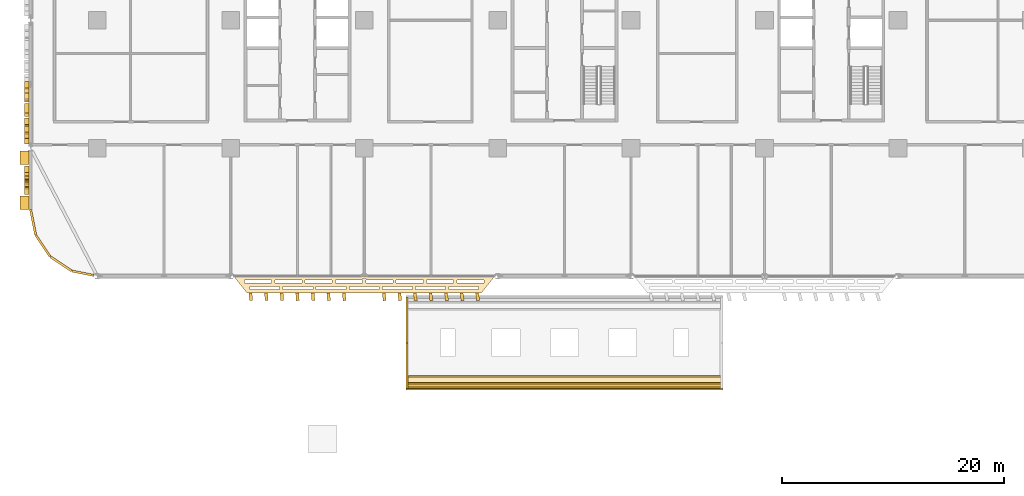
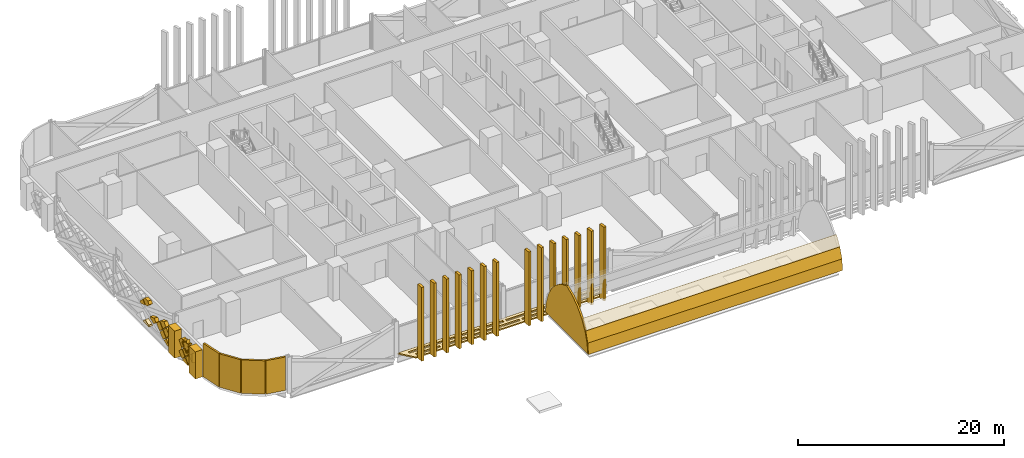
# One storey, part 23 of 31: 41 coverings.
"""IFC4 building model written with IfcOpenShell, lengths in metres."""

import ifcopenshell
import ifcopenshell.guid

model = None  # the IFC model being written
_history = None  # IfcOwnerHistory: only IFC2X3 demands one
_inside = {}  # id of a spatial element -> (the spatial element, [elements in it])
_under = {}  # id of a project, library or spatial element -> (it, [spatial elements below it])
_declared = {}  # id of a project -> (the project, [libraries it declares])
_typed = {}  # id of a type object -> (the type object, [elements of that type])
_made_of = {}  # id of a material, layer set ... -> (it, [elements and type objects made of it])


def new_model(schema):
    """Start an empty IFC model of exactly this schema.

    Asked for "IFC4X3", IfcOpenShell would pick the latest addendum, in which some entities
    have other attributes; the version numbers below select the first issue.
    IFC2X3 requires an IfcOwnerHistory on every rooted entity: one is made here for all.
    """
    global model, _history
    if schema == "IFC4X3":
        model = ifcopenshell.file(schema_version=(4, 3, 0, 0))
    else:
        model = ifcopenshell.file(schema=schema)
    _inside.clear()
    _under.clear()
    _declared.clear()
    _typed.clear()
    _made_of.clear()
    _history = None
    if model.schema == "IFC2X3":
        org = make("IfcOrganization", Name="unknown")
        user = make(
            "IfcPersonAndOrganization",
            ThePerson=make("IfcPerson", FamilyName="unknown"),
            TheOrganization=org,
        )
        app = make(
            "IfcApplication",
            ApplicationDeveloper=org,
            Version="unknown",
            ApplicationFullName="unknown",
            ApplicationIdentifier="unknown",
        )
        _history = make(
            "IfcOwnerHistory",
            OwningUser=user,
            OwningApplication=app,
            ChangeAction="ADDED",
            CreationDate=0,
        )
    return model


def make(cls, **values):
    """One entity of the class cls with the attributes given. An attribute that is None is left unset."""
    return model.create_entity(
        cls, **{name: value for name, value in values.items() if value is not None}
    )


def rooted(cls, **values):
    """An entity with a GlobalId (a new one), such as an element, a storey or a relation."""
    return make(cls, GlobalId=ifcopenshell.guid.new(), OwnerHistory=_history, **values)


def si_unit(unit_type, name, prefix=None):
    """IfcSIUnit, for example si_unit("LENGTHUNIT", "METRE", prefix="MILLI")."""
    return make("IfcSIUnit", UnitType=unit_type, Prefix=prefix, Name=name)


def assignment(units):
    """IfcUnitAssignment: the units of a project."""
    return None if units is None else make("IfcUnitAssignment", Units=units)


def point(xyz):
    """IfcCartesianPoint."""
    return None if xyz is None else make("IfcCartesianPoint", Coordinates=xyz)


def direction(xyz):
    """IfcDirection."""
    return None if xyz is None else make("IfcDirection", DirectionRatios=xyz)


def frame(location, z_axis=None, x_axis=None):
    """IfcAxis2Placement3D, a coordinate frame: its origin and axes. An axis left out is left unset."""
    return make(
        "IfcAxis2Placement3D",
        Location=point(location),
        Axis=direction(z_axis),
        RefDirection=direction(x_axis),
    )


def frame_2d(location, x_axis=None):
    """IfcAxis2Placement2D, a coordinate frame in the plane: its origin and x axis."""
    return make(
        "IfcAxis2Placement2D", Location=point(location), RefDirection=direction(x_axis)
    )


def origin():
    """The frame at (0, 0, 0) with its axes left unset."""
    return frame((0.0, 0.0, 0.0))


def origin_2d():
    """The frame at (0, 0) in the plane with its x axis left unset."""
    return frame_2d((0.0, 0.0))


def place(relative_to, where):
    """IfcLocalPlacement: puts the frame where relative to a parent placement (None: the world)."""
    return make(
        "IfcLocalPlacement", PlacementRelTo=relative_to, RelativePlacement=where
    )


def context(
    kind, dimensions, precision=None, world=None, true_north=None, identifier=None
):
    """IfcGeometricRepresentationContext, for example the 3D "Model" context."""
    return make(
        "IfcGeometricRepresentationContext",
        ContextIdentifier=identifier,
        ContextType=kind,
        CoordinateSpaceDimension=dimensions,
        Precision=precision,
        WorldCoordinateSystem=world,
        TrueNorth=true_north,
    )


def subcontext(parent, identifier, kind, view, scale=None):
    """IfcGeometricRepresentationSubContext, for example "Body" below "Model"."""
    return make(
        "IfcGeometricRepresentationSubContext",
        ContextIdentifier=identifier,
        ContextType=kind,
        ParentContext=parent,
        TargetScale=scale,
        TargetView=view,
    )


def project(units=None, contexts=None):
    """IfcProject with its units and contexts."""
    return rooted(
        "IfcProject",
        Name="project",
        RepresentationContexts=contexts,
        UnitsInContext=assignment(units),
    )


def spatial(cls, under=None, at=None, **own):
    """A site, building, storey or space (cls), placed at a placement, below another one or the project."""
    s = rooted(cls, ObjectPlacement=at, **own)
    if under is not None:
        _under.setdefault(under.id(), (under, []))[1].append(s)
    return s


def polyline(points):
    """IfcPolyline through the points."""
    return make("IfcPolyline", Points=[point(p) for p in points])


def profile(cls, at=None, kind="AREA", **sizes):
    """A parametric profile (cls). Its sizes go by their IFC names, for example OverallWidth=200.0."""
    return make(cls, ProfileType=kind, Position=at, **sizes)


def rectangle(**sizes):
    """IfcRectangleProfileDef."""
    return profile("IfcRectangleProfileDef", **sizes)


def outline(outer, holes=None, kind="AREA"):
    """IfcArbitraryClosedProfileDef: a profile drawn as a closed curve; with holes, ...WithVoids."""
    if holes is None:
        return make("IfcArbitraryClosedProfileDef", ProfileType=kind, OuterCurve=outer)
    return make(
        "IfcArbitraryProfileDefWithVoids",
        ProfileType=kind,
        OuterCurve=outer,
        InnerCurves=holes,
    )


def extrude(swept, where, along, depth):
    """IfcExtrudedAreaSolid: the profile swept, set in the frame where, extruded along a direction by depth."""
    return make(
        "IfcExtrudedAreaSolid",
        SweptArea=swept,
        Position=where,
        ExtrudedDirection=direction(along),
        Depth=depth,
    )


def shape(context_of_items, identifier, shape_type, items):
    """IfcShapeRepresentation: the items that make up one representation, for example the "Body"."""
    return make(
        "IfcShapeRepresentation",
        ContextOfItems=context_of_items,
        RepresentationIdentifier=identifier,
        RepresentationType=shape_type,
        Items=items,
    )


def material(Name=None, Category=None):
    """IfcMaterial."""
    return make("IfcMaterial", Name=Name, Category=Category)


def layer(
    of_material, thickness, ventilated=None, Name=None, Category=None, Priority=None
):
    """IfcMaterialLayer: one layer of a wall or slab, of a material (None: an air gap)."""
    return make(
        "IfcMaterialLayer",
        Material=of_material,
        LayerThickness=thickness,
        IsVentilated=ventilated,
        Name=Name,
        Category=Category,
        Priority=Priority,
    )


def layer_set(layers, Name=None):
    """IfcMaterialLayerSet."""
    return make("IfcMaterialLayerSet", MaterialLayers=layers, LayerSetName=Name)


def made_of(thing, what):
    """Note that an element or type object is made of a material, layer set ...; save() writes the relation."""
    if what is not None:
        _made_of.setdefault(what.id(), (what, []))[1].append(thing)
    return thing


def type_object(cls, material=None, **own):
    """A type object (cls), such as IfcWallType, which elements share."""
    return made_of(rooted(cls, **own), material)


def element(
    cls,
    number,
    at=None,
    inside=None,
    cuts=None,
    type_object=None,
    material=None,
    context=None,
    identifier="Body",
    shape_type=None,
    held_by="IfcProductDefinitionShape",
    body=None,
    shapes=None,
    **own,
):
    """One element of the class cls, such as IfcWall. Its Tag is "e" and its number.

    at: its placement. inside: the storey or other place that contains it. cuts: it is an
    opening in that element (IfcRelVoidsElement). A single representation is given by context,
    identifier, shape_type and body (its items); several are given by shapes. held_by: the class
    of the entity that holds the representations. save() writes the other relations.
    """
    e = rooted(cls, Tag="e%d" % number, ObjectPlacement=at, **own)
    if body is not None:
        shapes = [shape(context, identifier, shape_type, body)]
    if shapes is not None:
        e.Representation = make(held_by, Representations=shapes)
    if inside is not None:
        _inside.setdefault(inside.id(), (inside, []))[1].append(e)
    if cuts is not None:
        rooted(
            "IfcRelVoidsElement", RelatingBuildingElement=cuts, RelatedOpeningElement=e
        )
    if type_object is not None:
        _typed.setdefault(type_object.id(), (type_object, []))[1].append(e)
    return made_of(e, material)


def aggregate(whole, parts):
    """IfcRelAggregates: a whole, such as a stair, and the parts it consists of."""
    return rooted("IfcRelAggregates", RelatingObject=whole, RelatedObjects=parts)


def save(model, path):
    """Write the relations noted so far, then the file.

    IfcRelAggregates (storeys below a building ...), IfcRelContainedInSpatialStructure (elements
    in a storey), IfcRelDefinesByType, IfcRelAssociatesMaterial and IfcRelDeclares: one each for
    every whole, place, type object, material and project.
    """
    for whole, parts in _under.values():
        aggregate(whole, parts)
    for where, things in _inside.values():
        rooted(
            "IfcRelContainedInSpatialStructure",
            RelatedElements=things,
            RelatingStructure=where,
        )
    for kind, things in _typed.values():
        rooted("IfcRelDefinesByType", RelatedObjects=things, RelatingType=kind)
    for what, things in _made_of.values():
        rooted("IfcRelAssociatesMaterial", RelatedObjects=things, RelatingMaterial=what)
    for by, libraries in _declared.values():
        rooted("IfcRelDeclares", RelatingContext=by, RelatedDefinitions=libraries)
    model.write(path)


model = new_model("IFC4")

# Units and contexts
model_context = context("Model", 3, precision=1e-05, world=origin(), true_north=direction((0.0, 1.0)))
body_context = subcontext(model_context, "Body", "Model", "MODEL_VIEW")
ifc_project = project(units=[si_unit("LENGTHUNIT", "METRE"), si_unit("AREAUNIT", "SQUARE_METRE"), si_unit("VOLUMEUNIT", "CUBIC_METRE"), si_unit("PLANEANGLEUNIT", "RADIAN"), si_unit("MASSUNIT", "GRAM", prefix="KILO")], contexts=[model_context])

# Site, building, storey
site_placement = place(None, origin())
site = spatial("IfcSite", under=ifc_project, at=site_placement, CompositionType="ELEMENT")
building_placement = place(site_placement, origin())
building = spatial("IfcBuilding", under=site, at=building_placement, Name="Mahtab Terrace Research Tower", CompositionType="ELEMENT")
storey_placement = place(building_placement, frame((0.0, 0.0, 11.5)))
storey = spatial("IfcBuildingStorey", under=building, at=storey_placement, Name="L02", CompositionType="ELEMENT", Elevation=11.5)

# Coverings
ifc_material_1 = material(Name="Black aluminium cladding panel", Category="aluminium")
ifc_layer_1 = layer(ifc_material_1, 0.199951171875)
ifc_layer_set_1 = layer_set([ifc_layer_1], Name="Black metal corner cladding 200")
covering_type_1 = type_object("IfcCoveringType", Name="Black metal corner cladding 200", PredefinedType="CLADDING", material=ifc_layer_set_1)
for number, where, z_axis, x_axis, name in (
    (1, (-47.771484375, -18.14794921875, 0.0), (0.0, 0.0, 1.0), (0.195212442692, -0.980760981187, 0.0), "Corner cladding L02 18"),
    (2, (-46.89306640625, -20.26953125, 0.0), (0.0, 0.0, 1.0), (0.555291490808, -0.831655794326, 0.0), "Corner cladding L02 19"),
    (3, (-45.26953125, -21.89306640625, 0.0), (0.0, 0.0, 1.0), (0.831655794326, -0.555291490808, 0.0), "Corner cladding L02 20"),
):
    element("IfcCovering", number, at=place(storey_placement, frame(where, z_axis=z_axis, x_axis=x_axis)), inside=storey, type_object=covering_type_1, Name=name, PredefinedType="CLADDING", context=body_context, shape_type="SweptSolid", body=[
        extrude(rectangle(XDim=2.30126953125, YDim=0.199951171875, at=origin_2d()), origin(), (0.0, 0.0, 1.0), 3.9599609375),
    ])
covering_1_placement = place(storey_placement, frame((-43.28173828125, -22.744873046875, 0.0), z_axis=(0.0, 0.0, 1.0), x_axis=(0.980760981187, -0.195212442692, 0.0)))
element("IfcCovering", 4, at=covering_1_placement, inside=storey, type_object=covering_type_1, Name="Corner cladding L02 21", PredefinedType="CLADDING", context=body_context, shape_type="SweptSolid", body=[
    extrude(rectangle(XDim=2.0283203125, YDim=0.199951171875, at=origin_2d()), origin(), (0.0, 0.0, 1.0), 3.9599609375),
])
ifc_material_2 = material(Name="Black anodised aluminium", Category="aluminium")
ifc_layer_2 = layer(ifc_material_2, 0.14990234375)
ifc_layer_set_2 = layer_set([ifc_layer_2], Name="Horizontal sunshade band")
covering_type_2 = type_object("IfcCoveringType", Name="Horizontal sunshade band", PredefinedType="CLADDING", material=ifc_layer_set_2)
covering_2_placement = place(storey_placement, frame((0.0, 0.0, -0.14990234375)))
element("IfcCovering", 5, at=covering_2_placement, inside=storey, type_object=covering_type_2, Name="Sunshade band L02 23", PredefinedType="CLADDING", context=body_context, shape_type="SweptSolid", body=[
    extrude(outline(polyline([(-29.7509765625, -23.0), (-6.2490234375, -23.0), (-7.448974609375, -24.5), (-28.551025390625, -24.5), (-29.7509765625, -23.0)]), holes=[polyline([(-28.77099609375, -23.35009765625), (-26.341064453125, -23.35009765625), (-26.341064453125, -23.60009765625), (-28.77099609375, -23.60009765625), (-28.77099609375, -23.35009765625)]), polyline([(-26.041015625, -23.35009765625), (-23.611083984375, -23.35009765625), (-23.611083984375, -23.60009765625), (-26.041015625, -23.60009765625), (-26.041015625, -23.35009765625)]), polyline([(-23.31103515625, -23.35009765625), (-20.8798828125, -23.35009765625), (-20.8798828125, -23.60009765625), (-23.31103515625, -23.60009765625), (-23.31103515625, -23.35009765625)]), polyline([(-20.580078125, -23.35009765625), (-18.14990234375, -23.35009765625), (-18.14990234375, -23.60009765625), (-20.580078125, -23.60009765625), (-20.580078125, -23.35009765625)]), polyline([(-17.85009765625, -23.35009765625), (-15.419921875, -23.35009765625), (-15.419921875, -23.60009765625), (-17.85009765625, -23.60009765625), (-17.85009765625, -23.35009765625)]), polyline([(-15.1201171875, -23.35009765625), (-12.68994140625, -23.35009765625), (-12.68994140625, -23.60009765625), (-15.1201171875, -23.60009765625), (-15.1201171875, -23.35009765625)]), polyline([(-12.389892578125, -23.35009765625), (-9.958984375, -23.35009765625), (-9.958984375, -23.60009765625), (-12.389892578125, -23.60009765625), (-12.389892578125, -23.35009765625)]), polyline([(-9.658935546875, -23.35009765625), (-7.22900390625, -23.35009765625), (-7.22900390625, -23.60009765625), (-9.658935546875, -23.60009765625), (-9.658935546875, -23.35009765625)]), polyline([(-28.291015625, -23.949951171875), (-25.60791015625, -23.949951171875), (-25.60791015625, -24.199951171875), (-28.291015625, -24.199951171875), (-28.291015625, -23.949951171875)]), polyline([(-25.30810546875, -23.949951171875), (-22.625, -23.949951171875), (-22.625, -24.199951171875), (-25.30810546875, -24.199951171875), (-25.30810546875, -23.949951171875)]), polyline([(-22.324951171875, -23.949951171875), (-19.64208984375, -23.949951171875), (-19.64208984375, -24.199951171875), (-22.324951171875, -24.199951171875), (-22.324951171875, -23.949951171875)]), polyline([(-19.342041015625, -23.949951171875), (-16.657958984375, -23.949951171875), (-16.657958984375, -24.199951171875), (-19.342041015625, -24.199951171875), (-19.342041015625, -23.949951171875)]), polyline([(-16.35791015625, -23.949951171875), (-13.675048828125, -23.949951171875), (-13.675048828125, -24.199951171875), (-16.35791015625, -24.199951171875), (-16.35791015625, -23.949951171875)]), polyline([(-13.375, -23.949951171875), (-10.69189453125, -23.949951171875), (-10.69189453125, -24.199951171875), (-13.375, -24.199951171875), (-13.375, -23.949951171875)]), polyline([(-10.39208984375, -23.949951171875), (-7.708984375, -23.949951171875), (-7.708984375, -24.199951171875), (-10.39208984375, -24.199951171875), (-10.39208984375, -23.949951171875)])]), origin(), (0.0, 0.0, 1.0), 0.14990234375),
])
ifc_material_3 = material(Name="Bronze anodised aluminium", Category="aluminium")
ifc_layer_3 = layer(ifc_material_3, 0.39990234375)
ifc_layer_set_3 = layer_set([ifc_layer_3], Name="Mashrabiya relief panel 400")
covering_type_3 = type_object("IfcCoveringType", Name="Mashrabiya relief panel 400", PredefinedType="CLADDING", material=ifc_layer_set_3)
covering_3_placement = place(storey_placement, frame((-48.14990234375, -5.51904296875, 2.14990234375), z_axis=(1.0, 0.0, 0.0), x_axis=(0.0, -0.707106781187, 0.707106781187)))
element("IfcCovering", 6, at=covering_3_placement, inside=storey, type_object=covering_type_3, Name="Mashrabiya lattice cell L02 W16.10", PredefinedType="CLADDING", context=body_context, shape_type="SweptSolid", body=[
    extrude(outline(polyline([(0.0, 0.0), (0.8203543516109556, 0.0), (0.8203543516109556, 0.6107772929292005), (0.06163015646572205, 0.2649924094534547), (0.00017263349150060947, 0.12999301909996835), (0.0, 0.0)])), origin(), (0.0, 0.0, -1.0), 0.39990234375),
])
covering_4_placement = place(storey_placement, frame((-48.14990234375, -6.1689453125, 0.199951171875), z_axis=(1.0, 0.0, 0.0), x_axis=(0.0, -0.707106781187, 0.707106781187)))
element("IfcCovering", 7, at=covering_4_placement, inside=storey, type_object=covering_type_3, Name="Mashrabiya lattice cell L02 W16.11", PredefinedType="CLADDING", context=body_context, shape_type="SweptSolid", body=[
    extrude(outline(polyline([(0.0, 0.0), (0.5147930716548547, 0.0), (0.820181718119455, 0.6703358474969151), (0.8203543516109556, 0.8203543516109556), (0.7283407006411241, 0.820181718119455), (0.0, 0.09184101747833089), (0.0, 0.0)])), origin(), (0.0, 0.0, -1.0), 0.39990234375),
])
covering_5_placement = place(storey_placement, frame((-48.14990234375, -6.1689453125, 2.800048828125), z_axis=(1.0, 0.0, 0.0), x_axis=(0.0, -0.707106781187, 0.707106781187)))
element("IfcCovering", 8, at=covering_5_placement, inside=storey, type_object=covering_type_3, Name="Mashrabiya lattice cell L02 W16.12", PredefinedType="CLADDING", context=body_context, shape_type="SweptSolid", body=[
    extrude(outline(polyline([(0.0, 0.0), (0.3791031473353658, 0.0), (0.8203543516109556, 0.4412512042755897), (0.8203543516109556, 0.8203543516109556), (0.3606313637447992, 0.820181718119455), (0.0, 0.6563525346853647), (0.0, 0.0)])), origin(), (0.0, 0.0, -1.0), 0.39990234375),
])
covering_6_placement = place(storey_placement, frame((-48.14990234375, -7.468994140625, 1.5), z_axis=(1.0, 0.0, 0.0), x_axis=(0.0, -0.93702826663, 0.349253529024)))
element("IfcCovering", 9, at=covering_6_placement, inside=storey, type_object=covering_type_3, Name="Mashrabiya lattice cell L02 W16.13", PredefinedType="CLADDING", context=body_context, shape_type="SweptSolid", body=[
    extrude(outline(polyline([(0.0, 0.0), (0.9017558308712423, -5.551115123125783e-17), (1.086870433291092, 0.40510339755721136), (0.553242009378479, 0.6491381405892371), (0.12814522477591145, 0.2804320418748758), (0.0, 0.0)])), origin(), (0.0, 0.0, -1.0), 0.39990234375),
])
covering_7_placement = place(storey_placement, frame((-48.14990234375, -9.34912109375, 2.080078125), z_axis=(1.0, 0.0, 0.0), x_axis=(0.0, -0.706957932274, -0.707255598772)))
element("IfcCovering", 10, at=covering_7_placement, inside=storey, type_object=covering_type_3, Name="Mashrabiya lattice cell L02 W16.14", PredefinedType="CLADDING", context=body_context, shape_type="SweptSolid", body=[
    extrude(outline(polyline([(0.0, 0.0), (0.8201817362875763, 0.0), (0.8205270032629295, 0.8201816636150915), (0.00017266982391900276, 0.8203543334390104), (0.0, 0.0)])), origin(), (0.0, 0.0, -1.0), 0.39990234375),
])
covering_8_placement = place(storey_placement, frame((-48.14990234375, -9.4189453125, 0.85009765625), z_axis=(1.0, 0.0, 0.0), x_axis=(0.0, -0.707255598772, 0.706957932274)))
element("IfcCovering", 11, at=covering_8_placement, inside=storey, type_object=covering_type_3, Name="Mashrabiya lattice cell L02 W16.15", PredefinedType="CLADDING", context=body_context, shape_type="SweptSolid", body=[
    extrude(outline(polyline([(0.0, 0.0), (0.8201817362875763, 0.0), (0.8205270032629295, 0.8201816636150915), (0.15139960502858502, 0.8203225028906618), (-6.991093039140917e-05, 0.4880349059978759), (0.0, 0.0)])), origin(), (0.0, 0.0, -1.0), 0.39990234375),
])
covering_9_placement = place(storey_placement, frame((-48.14990234375, -10.5791015625, 2.14990234375), z_axis=(1.0, 0.0, 0.0), x_axis=(0.0, 0.707255598772, -0.706957932274)))
element("IfcCovering", 12, at=covering_9_placement, inside=storey, type_object=covering_type_3, Name="Mashrabiya lattice cell L02 W16.16", PredefinedType="CLADDING", context=body_context, shape_type="SweptSolid", body=[
    extrude(outline(polyline([(0.0, 0.0), (0.8201817362875763, 0.0), (0.8205270032629295, 0.8201816636150915), (0.64236924398072, 0.8202191626172557), (0.00011104355679636413, 0.5275679383395656), (0.0, 0.0)])), origin(), (0.0, 0.0, -1.0), 0.39990234375),
])
covering_10_placement = place(storey_placement, frame((-48.14990234375, -10.64892578125, 0.780029296875), z_axis=(1.0, 0.0, 0.0), x_axis=(0.0, -0.707106781187, -0.707106781187)))
element("IfcCovering", 13, at=covering_10_placement, inside=storey, type_object=covering_type_3, Name="Mashrabiya lattice cell L02 W16.17", PredefinedType="CLADDING", context=body_context, shape_type="SweptSolid", body=[
    extrude(outline(polyline([(0.0, 0.0), (0.6604957384813797, 0.0), (0.786345553785333, 0.1258498153039534), (0.5303300858899107, 0.3818652831993758), (0.0, 0.6235521713002465), (0.0, 0.0)])), origin(), (0.0, 0.0, -1.0), 0.39990234375),
])
covering_11_placement = place(storey_placement, frame((-48.14990234375, -10.64892578125, 0.919921875), z_axis=(1.0, 0.0, 0.0), x_axis=(0.0, 0.706957932274, 0.707255598772)))
element("IfcCovering", 14, at=covering_11_placement, inside=storey, type_object=covering_type_3, Name="Mashrabiya lattice cell L02 W16.18", PredefinedType="CLADDING", context=body_context, shape_type="SweptSolid", body=[
    extrude(outline(polyline([(0.0, 0.0), (0.8201817362875763, 0.0), (0.8205270032629295, 0.8201816636150915), (0.16003127941241302, 0.8203206860785415), (0.00013902246344993374, 0.6604957238505165), (0.0, 0.0)])), origin(), (0.0, 0.0, -1.0), 0.39990234375),
])
covering_12_placement = place(storey_placement, frame((-48.14990234375, -14.64404296875, 2.60107421875), z_axis=(1.0, 0.0, 0.0), x_axis=(0.0, -0.924691461768, 0.380717349925)))
element("IfcCovering", 15, at=covering_12_placement, inside=storey, type_object=covering_type_3, Name="Girih star panel L02 W17.1", PredefinedType="CLADDING", context=body_context, shape_type="SweptSolid", body=[
    extrude(outline(polyline([(0.0, 0.0), (0.3783462161056796, 2.7755575615628914e-17), (0.11208841562376498, 0.2689856047531158), (0.3794805037610448, 0.5359074361332754), (0.001665512373961231, 0.5371822494259442), (0.00134680905079404, 0.9156612717112728), (-0.26732009237915455, 0.6492706650497092), (-0.5342419237593141, 0.9166627531869891), (-0.535516737051983, 0.5388477617999055), (-0.9140887079090707, 0.5387548132281463), (-0.647605152675748, 0.2698621570467897), (-0.9149972408130278, 0.0029403256666300503), (-0.5371822494259442, 0.001665512373961231), (-0.537089300854185, -0.3769064584831264), (-0.26819664467282844, -0.11042290324980375), (-0.0012748132926687916, -0.3778149913870835), (0.0, 0.0)])), origin(), (0.0, 0.0, -1.0), 0.39990234375),
])
covering_13_placement = place(storey_placement, frame((-48.14990234375, -13.698974609375, 1.429931640625), z_axis=(1.0, 0.0, 0.0), x_axis=(0.0, -0.707255598772, -0.706957932274)))
element("IfcCovering", 16, at=covering_13_placement, inside=storey, type_object=covering_type_3, Name="Mashrabiya lattice cell L02 W17.2", PredefinedType="CLADDING", context=body_context, shape_type="SweptSolid", body=[
    extrude(outline(polyline([(0.0, 0.0), (0.8201817362875763, 0.0), (0.8200090664636573, 0.8203543334390104), (-0.0003452669753531423, 0.8201816636150915), (0.0, 0.0)])), origin(), (0.0, 0.0, -1.0), 0.39990234375),
])
covering_14_placement = place(storey_placement, frame((-48.14990234375, -13.698974609375, 1.570068359375), z_axis=(1.0, 0.0, 0.0), x_axis=(0.0, 0.707255598772, 0.706957932274)))
element("IfcCovering", 17, at=covering_14_placement, inside=storey, type_object=covering_type_3, Name="Mashrabiya lattice cell L02 W17.3", PredefinedType="CLADDING", context=body_context, shape_type="SweptSolid", body=[
    extrude(outline(polyline([(0.0, 0.0), (0.8201817362875763, 0.0), (0.8200090664636573, 0.8203543334390104), (0.4452217283816044, 0.820448080944421), (0.5448873902654984, 0.5537503084960056), (0.5231514860924261, 0.47813226252712926), (0.46291297273984744, 0.4278832362646504), (0.37262685778100624, 0.422167327316545), (0.13350894737201133, 0.5196549221580671), (0.03515742203101589, 0.2841621333090679), (-0.0002235405632890347, 0.2418594798986174), (0.0, 0.0)])), origin(), (0.0, 0.0, -1.0), 0.39990234375),
])
covering_15_placement = place(storey_placement, frame((-48.14990234375, -13.76904296875, 0.199951171875), z_axis=(1.0, 0.0, 0.0), x_axis=(0.0, -0.707106781187, 0.707106781187)))
element("IfcCovering", 18, at=covering_15_placement, inside=storey, type_object=covering_type_3, Name="Mashrabiya lattice cell L02 W17.4", PredefinedType="CLADDING", context=body_context, shape_type="SweptSolid", body=[
    extrude(outline(polyline([(0.0, 0.0), (0.8203543516109556, 0.0), (0.820181718119455, 0.820181718119455), (0.7283407006411241, 0.820181718119455), (0.0, 0.09184101747833089), (0.0, 0.0)])), origin(), (0.0, 0.0, -1.0), 0.39990234375),
])
covering_16_placement = place(storey_placement, frame((-48.14990234375, -14.928955078125, 1.5), z_axis=(1.0, 0.0, 0.0), x_axis=(0.0, 0.706957932274, -0.707255598772)))
element("IfcCovering", 19, at=covering_16_placement, inside=storey, type_object=covering_type_3, Name="Mashrabiya lattice cell L02 W17.5", PredefinedType="CLADDING", context=body_context, shape_type="SweptSolid", body=[
    extrude(outline(polyline([(0.0, 0.0), (0.8201817362875763, 0.0), (0.8200090664636573, 0.8203543334390104), (0.6080151435968424, 0.8203097125333344), (0.586621090792337, 0.7609192870785395), (0.5470963431139162, 0.7213778974010961), (0.30042529066822354, 0.6158469119403185), (0.3978408670772946, 0.3769426586366778), (0.3888849280662249, 0.2771586132750213), (0.33451711605440615, 0.22138655083913433), (0.2573533990060128, 0.2049701272095052), (-0.00023662161055562625, 0.30400753546217874), (0.0, 0.0)])), origin(), (0.0, 0.0, -1.0), 0.39990234375),
])
covering_17_placement = place(storey_placement, frame((-48.14990234375, -14.9990234375, 1.429931640625), z_axis=(1.0, 0.0, 0.0), x_axis=(0.0, -0.707255598772, -0.706957932274)))
element("IfcCovering", 20, at=covering_17_placement, inside=storey, type_object=covering_type_3, Name="Mashrabiya lattice cell L02 W17.6", PredefinedType="CLADDING", context=body_context, shape_type="SweptSolid", body=[
    extrude(outline(polyline([(0.0, 0.0), (0.8201817362875763, 0.0), (0.8200090664636573, 0.8203543334390104), (-0.0003452669753531423, 0.8201816636150915), (0.0, 0.0)])), origin(), (0.0, 0.0, -1.0), 0.39990234375),
])
covering_18_placement = place(storey_placement, frame((-48.14990234375, -15.64892578125, 0.919921875), z_axis=(1.0, 0.0, 0.0), x_axis=(0.0, 0.706957932274, 0.707255598772)))
element("IfcCovering", 21, at=covering_18_placement, inside=storey, type_object=covering_type_3, Name="Mashrabiya lattice cell L02 W17.7", PredefinedType="CLADDING", context=body_context, shape_type="SweptSolid", body=[
    extrude(outline(polyline([(0.0, 0.0), (0.8201817362875763, 0.0), (0.8205270032629295, 0.8201816636150915), (0.7977393828896235, 0.8201864599990892), (4.796383997748149e-06, 0.022787620373305846), (0.0, 0.0)])), origin(), (0.0, 0.0, -1.0), 0.39990234375),
])
ifc_material_4 = material(Name="Glazed turquoise tile", Category="masonry")
ifc_layer_4 = layer(ifc_material_4, 0.14990234375)
ifc_layer_set_4 = layer_set([ifc_layer_4], Name="Pavilion vault tile shell 150")
covering_type_4 = type_object("IfcCoveringType", Name="Pavilion vault tile shell 150", PredefinedType="ROOFING", material=ifc_layer_set_4)
covering_19_placement = place(storey_placement, frame((-14.25, -33.25, 0.615966796875), z_axis=(0.0, -0.994317162268, 0.106458352514), x_axis=(1.0, 0.0, 0.0)))
element("IfcCovering", 22, at=covering_19_placement, inside=storey, type_object=covering_type_4, Name="Pavilion vault course S1", PredefinedType="ROOFING", context=body_context, shape_type="SweptSolid", body=[
    extrude(outline(polyline([(0.0, 0.0), (28.5, 0.0), (28.5, 1.2681932646613006), (0.0, 1.2681932646613006), (0.0, 0.0)])), origin(), (0.0, 0.0, -1.0), 0.14990234375),
])
covering_20_placement = place(storey_placement, frame((-14.25, -33.114990234375, 1.876953125), z_axis=(0.0, -0.949182894892, 0.314725010198), x_axis=(1.0, 0.0, 0.0)))
element("IfcCovering", 23, at=covering_20_placement, inside=storey, type_object=covering_type_4, Name="Pavilion vault course S2", PredefinedType="ROOFING", context=body_context, shape_type="SweptSolid", body=[
    extrude(outline(polyline([(0.0, 0.0), (28.5, 0.0), (28.5, 1.2675375909892863), (0.0, 1.2675375909892863), (0.0, 0.0)])), origin(), (0.0, 0.0, -1.0), 0.14990234375),
])
covering_21_placement = place(storey_placement, frame((-14.25, -32.716064453125, 3.080078125), z_axis=(0.0, -0.8610223174, 0.508567172495), x_axis=(1.0, 0.0, 0.0)))
element("IfcCovering", 24, at=covering_21_placement, inside=storey, type_object=covering_type_4, Name="Pavilion vault course S3", PredefinedType="ROOFING", context=body_context, shape_type="SweptSolid", body=[
    extrude(outline(polyline([(0.0, 0.0), (28.5, 0.0), (28.5, 1.26830744518088), (0.0, 1.26830744518088), (0.0, 0.0)])), origin(), (0.0, 0.0, -1.0), 0.14990234375),
])
covering_22_placement = place(storey_placement, frame((-14.25, -33.1201171875, 0.60009765625), z_axis=(-1.0, 0.0, 0.0), x_axis=(0.0, 0.130372256967, 0.991465115177)))
element("IfcCovering", 25, at=covering_22_placement, inside=storey, type_object=covering_type_4, Name="Pavilion vault gable W", PredefinedType="ROOFING", context=body_context, shape_type="SweptSolid", body=[
    extrude(outline(polyline([(0.0, 0.0), (1.1516751176070437, 0.0), (2.394726176403442, 0.22486962995649407), (3.558674775028222, 0.7002270197317636), (4.588984202315387, 1.4027094074664577), (5.439647497338298, 2.302661327887294), (6.072506460557914, 3.3570831326690938), (5.733748975456891, 4.539267202945269), (5.1446577526394535, 5.628538992613874), (4.330977617568213, 6.573495953974914), (3.3294850735232266, 7.333597047565002), (2.1868231989244515, 7.872174920847994), (1.074297953404623, 8.16990492369662), (0.0, 0.0)])), origin(), (0.0, 0.0, -1.0), 0.199951171875),
])
ifc_material_5 = material(Name="Glazed ceramic tile cladding", Category="masonry")
ifc_layer_5 = layer(ifc_material_5, 0.800048828125)
ifc_layer_set_5 = layer_set([ifc_layer_5], Name="Pishtaq frame pier 800")
covering_type_5 = type_object("IfcCoveringType", Name="Pishtaq frame pier 800", PredefinedType="CLADDING", material=ifc_layer_set_5)
for number, where, z_axis, x_axis, name in (
    (26, (-48.550048828125, -12.34912109375, 0.00048828125), (0.0, 0.0, 1.0), (0.0, -1.0, 0.0), "Pishtaq frame pier 17a"),
    (27, (-48.550048828125, -16.39990234375, 0.00048828125), (0.0, 0.0, 1.0), (0.0, -1.0, 0.0), "Pishtaq frame pier 17b"),
):
    element("IfcCovering", number, at=place(storey_placement, frame(where, z_axis=z_axis, x_axis=x_axis)), inside=storey, type_object=covering_type_5, Name=name, PredefinedType="CLADDING", context=body_context, shape_type="SweptSolid", body=[
        extrude(rectangle(XDim=1.199951171875, YDim=0.800048828125, at=origin_2d()), origin(), (0.0, 0.0, 1.0), 3.202880859375),
    ])
ifc_layer_6 = layer(ifc_material_3, 0.1201171875)
ifc_layer_set_6 = layer_set([ifc_layer_6], Name="Vertical fin 700")
covering_type_6 = type_object("IfcCoveringType", Name="Vertical fin 700", PredefinedType="CLADDING", material=ifc_layer_set_6)
for number, where, z_axis, x_axis, name in (
    (28, (-28.199951171875, -24.857421875, -0.14990234375), (0.0, 0.0, 1.0), (0.998356138179, 0.057315105867, 0.0), "Fin L02 S1"),
    (29, (-26.800048828125, -24.858154296875, -0.14990234375), (0.0, 0.0, 1.0), (0.998005798968, 0.063122303718, 0.0), "Fin L02 S2"),
    (30, (-25.39990234375, -24.85888671875, -0.14990234375), (0.0, 0.0, 1.0), (0.997621680969, 0.068927365114, 0.0), "Fin L02 S3"),
    (31, (-24.0, -24.859375, -0.14990234375), (0.0, 0.0, 1.0), (0.997203797181, 0.074730093591, 0.0), "Fin L02 S4"),
    (32, (-22.60009765625, -24.860107421875, -0.14990234375), (0.0, 0.0, 1.0), (0.996752161751, 0.080530292716, 0.0), "Fin L02 S5"),
    (33, (-21.199951171875, -24.86083984375, -0.14990234375), (0.0, 0.0, 1.0), (0.996266789964, 0.086327766189, 0.0), "Fin L02 S6"),
    (34, (-19.800048828125, -24.861328125, -0.14990234375), (0.0, 0.0, 1.0), (0.995747698246, 0.092122317805, 0.0), "Fin L02 S7"),
    (35, (-16.199951171875, -24.863037109375, -0.14990234375), (0.0, 0.0, 1.0), (0.994258180634, 0.107007804585, 0.0), "Fin L02 S1"),
    (36, (-14.800048828125, -24.863525390625, -0.14990234375), (0.0, 0.0, 1.0), (0.993618812002, 0.112790320663, 0.0), "Fin L02 S2"),
    (37, (-13.39990234375, -24.864013671875, -0.14990234375), (0.0, 0.0, 1.0), (0.992945813063, 0.118569019226, 0.0), "Fin L02 S3"),
    (38, (-12.0, -24.86474609375, -0.14990234375), (0.0, 0.0, 1.0), (0.9922392066, 0.12434370465, 0.0), "Fin L02 S4"),
    (39, (-10.60009765625, -24.865234375, -0.14990234375), (0.0, 0.0, 1.0), (0.991499016526, 0.130114181502, 0.0), "Fin L02 S5"),
    (40, (-9.199951171875, -24.86572265625, -0.14990234375), (0.0, 0.0, 1.0), (0.990725267892, 0.135880254489, 0.0), "Fin L02 S6"),
    (41, (-7.800048828125, -24.8662109375, -0.14990234375), (0.0, 0.0, 1.0), (0.989917986891, 0.141641728418, 0.0), "Fin L02 S7"),
):
    element("IfcCovering", number, at=place(storey_placement, frame(where, z_axis=z_axis, x_axis=x_axis)), inside=storey, type_object=covering_type_6, Name=name, PredefinedType="CLADDING", context=body_context, shape_type="SweptSolid", body=[
        extrude(rectangle(XDim=0.280029296875, YDim=0.699951171875, at=origin_2d()), origin(), (0.0, 0.0, 1.0), 8.75),
    ])

save(model, "model.ifc")
